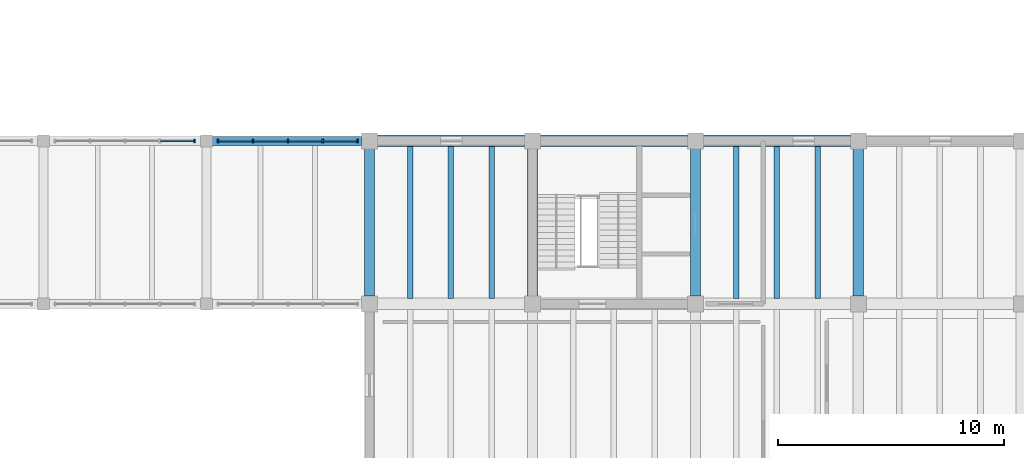
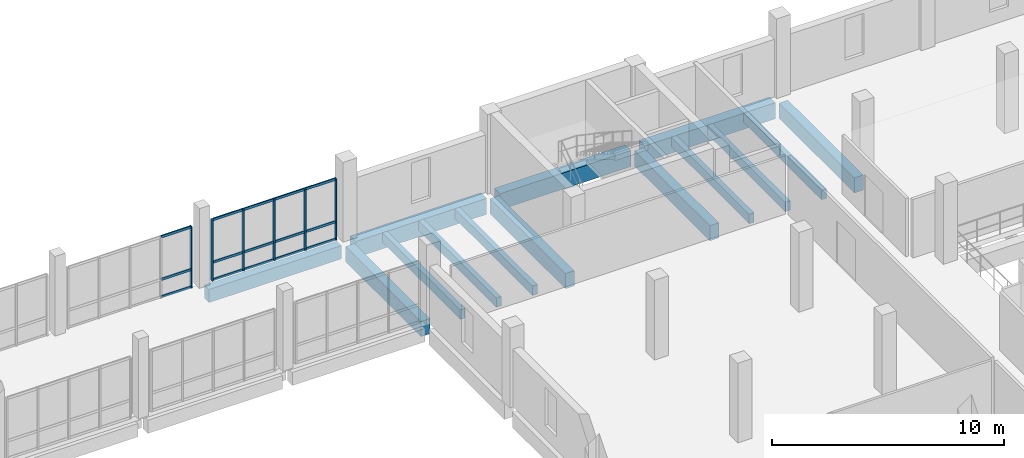
# One storey, part 41 of 72: 21 members, 14 beams, 2 elements without a shape of their own.
"""IFC4 building model written with IfcOpenShell, lengths in metres."""

import ifcopenshell
import ifcopenshell.guid

model = None  # the IFC model being written
_history = None  # IfcOwnerHistory: only IFC2X3 demands one
_inside = {}  # id of a spatial element -> (the spatial element, [elements in it])
_under = {}  # id of a project, library or spatial element -> (it, [spatial elements below it])
_declared = {}  # id of a project -> (the project, [libraries it declares])
_typed = {}  # id of a type object -> (the type object, [elements of that type])
_made_of = {}  # id of a material, layer set ... -> (it, [elements and type objects made of it])


def new_model(schema):
    """Start an empty IFC model of exactly this schema.

    Asked for "IFC4X3", IfcOpenShell would pick the latest addendum, in which some entities
    have other attributes; the version numbers below select the first issue.
    IFC2X3 requires an IfcOwnerHistory on every rooted entity: one is made here for all.
    """
    global model, _history
    if schema == "IFC4X3":
        model = ifcopenshell.file(schema_version=(4, 3, 0, 0))
    else:
        model = ifcopenshell.file(schema=schema)
    _inside.clear()
    _under.clear()
    _declared.clear()
    _typed.clear()
    _made_of.clear()
    _history = None
    if model.schema == "IFC2X3":
        org = make("IfcOrganization", Name="unknown")
        user = make(
            "IfcPersonAndOrganization",
            ThePerson=make("IfcPerson", FamilyName="unknown"),
            TheOrganization=org,
        )
        app = make(
            "IfcApplication",
            ApplicationDeveloper=org,
            Version="unknown",
            ApplicationFullName="unknown",
            ApplicationIdentifier="unknown",
        )
        _history = make(
            "IfcOwnerHistory",
            OwningUser=user,
            OwningApplication=app,
            ChangeAction="ADDED",
            CreationDate=0,
        )
    return model


def make(cls, **values):
    """One entity of the class cls with the attributes given. An attribute that is None is left unset."""
    return model.create_entity(
        cls, **{name: value for name, value in values.items() if value is not None}
    )


def rooted(cls, **values):
    """An entity with a GlobalId (a new one), such as an element, a storey or a relation."""
    return make(cls, GlobalId=ifcopenshell.guid.new(), OwnerHistory=_history, **values)


def si_unit(unit_type, name, prefix=None):
    """IfcSIUnit, for example si_unit("LENGTHUNIT", "METRE", prefix="MILLI")."""
    return make("IfcSIUnit", UnitType=unit_type, Prefix=prefix, Name=name)


def assignment(units):
    """IfcUnitAssignment: the units of a project."""
    return None if units is None else make("IfcUnitAssignment", Units=units)


def point(xyz):
    """IfcCartesianPoint."""
    return None if xyz is None else make("IfcCartesianPoint", Coordinates=xyz)


def direction(xyz):
    """IfcDirection."""
    return None if xyz is None else make("IfcDirection", DirectionRatios=xyz)


def frame(location, z_axis=None, x_axis=None):
    """IfcAxis2Placement3D, a coordinate frame: its origin and axes. An axis left out is left unset."""
    return make(
        "IfcAxis2Placement3D",
        Location=point(location),
        Axis=direction(z_axis),
        RefDirection=direction(x_axis),
    )


def frame_2d(location, x_axis=None):
    """IfcAxis2Placement2D, a coordinate frame in the plane: its origin and x axis."""
    return make(
        "IfcAxis2Placement2D", Location=point(location), RefDirection=direction(x_axis)
    )


def origin():
    """The frame at (0, 0, 0) with its axes left unset."""
    return frame((0.0, 0.0, 0.0))


def origin_2d():
    """The frame at (0, 0) in the plane with its x axis left unset."""
    return frame_2d((0.0, 0.0))


def place(relative_to, where):
    """IfcLocalPlacement: puts the frame where relative to a parent placement (None: the world)."""
    return make(
        "IfcLocalPlacement", PlacementRelTo=relative_to, RelativePlacement=where
    )


def context(
    kind, dimensions, precision=None, world=None, true_north=None, identifier=None
):
    """IfcGeometricRepresentationContext, for example the 3D "Model" context."""
    return make(
        "IfcGeometricRepresentationContext",
        ContextIdentifier=identifier,
        ContextType=kind,
        CoordinateSpaceDimension=dimensions,
        Precision=precision,
        WorldCoordinateSystem=world,
        TrueNorth=true_north,
    )


def subcontext(parent, identifier, kind, view, scale=None):
    """IfcGeometricRepresentationSubContext, for example "Body" below "Model"."""
    return make(
        "IfcGeometricRepresentationSubContext",
        ContextIdentifier=identifier,
        ContextType=kind,
        ParentContext=parent,
        TargetScale=scale,
        TargetView=view,
    )


def project(units=None, contexts=None):
    """IfcProject with its units and contexts."""
    return rooted(
        "IfcProject",
        Name="project",
        RepresentationContexts=contexts,
        UnitsInContext=assignment(units),
    )


def spatial(cls, under=None, at=None, **own):
    """A site, building, storey or space (cls), placed at a placement, below another one or the project."""
    s = rooted(cls, ObjectPlacement=at, **own)
    if under is not None:
        _under.setdefault(under.id(), (under, []))[1].append(s)
    return s


def profile(cls, at=None, kind="AREA", **sizes):
    """A parametric profile (cls). Its sizes go by their IFC names, for example OverallWidth=200.0."""
    return make(cls, ProfileType=kind, Position=at, **sizes)


def rectangle(**sizes):
    """IfcRectangleProfileDef."""
    return profile("IfcRectangleProfileDef", **sizes)


def extrude(swept, where, along, depth):
    """IfcExtrudedAreaSolid: the profile swept, set in the frame where, extruded along a direction by depth."""
    return make(
        "IfcExtrudedAreaSolid",
        SweptArea=swept,
        Position=where,
        ExtrudedDirection=direction(along),
        Depth=depth,
    )


def shape(context_of_items, identifier, shape_type, items):
    """IfcShapeRepresentation: the items that make up one representation, for example the "Body"."""
    return make(
        "IfcShapeRepresentation",
        ContextOfItems=context_of_items,
        RepresentationIdentifier=identifier,
        RepresentationType=shape_type,
        Items=items,
    )


def material(Name=None, Category=None):
    """IfcMaterial."""
    return make("IfcMaterial", Name=Name, Category=Category)


def material_profile(
    of_material, cross_section, Name=None, Category=None, Priority=None
):
    """IfcMaterialProfile: a cross section and its material."""
    return make(
        "IfcMaterialProfile",
        Name=Name,
        Material=of_material,
        Profile=cross_section,
        Priority=Priority,
        Category=Category,
    )


def profile_set(profiles, Name=None, composite=None):
    """IfcMaterialProfileSet."""
    return make(
        "IfcMaterialProfileSet",
        Name=Name,
        MaterialProfiles=profiles,
        CompositeProfile=composite,
    )


def made_of(thing, what):
    """Note that an element or type object is made of a material, layer set ...; save() writes the relation."""
    if what is not None:
        _made_of.setdefault(what.id(), (what, []))[1].append(thing)
    return thing


def type_object(cls, material=None, **own):
    """A type object (cls), such as IfcWallType, which elements share."""
    return made_of(rooted(cls, **own), material)


def element(
    cls,
    number,
    at=None,
    inside=None,
    cuts=None,
    type_object=None,
    material=None,
    context=None,
    identifier="Body",
    shape_type=None,
    held_by="IfcProductDefinitionShape",
    body=None,
    shapes=None,
    **own,
):
    """One element of the class cls, such as IfcWall. Its Tag is "e" and its number.

    at: its placement. inside: the storey or other place that contains it. cuts: it is an
    opening in that element (IfcRelVoidsElement). A single representation is given by context,
    identifier, shape_type and body (its items); several are given by shapes. held_by: the class
    of the entity that holds the representations. save() writes the other relations.
    """
    e = rooted(cls, Tag="e%d" % number, ObjectPlacement=at, **own)
    if body is not None:
        shapes = [shape(context, identifier, shape_type, body)]
    if shapes is not None:
        e.Representation = make(held_by, Representations=shapes)
    if inside is not None:
        _inside.setdefault(inside.id(), (inside, []))[1].append(e)
    if cuts is not None:
        rooted(
            "IfcRelVoidsElement", RelatingBuildingElement=cuts, RelatedOpeningElement=e
        )
    if type_object is not None:
        _typed.setdefault(type_object.id(), (type_object, []))[1].append(e)
    return made_of(e, material)


def aggregate(whole, parts):
    """IfcRelAggregates: a whole, such as a stair, and the parts it consists of."""
    return rooted("IfcRelAggregates", RelatingObject=whole, RelatedObjects=parts)


def save(model, path):
    """Write the relations noted so far, then the file.

    IfcRelAggregates (storeys below a building ...), IfcRelContainedInSpatialStructure (elements
    in a storey), IfcRelDefinesByType, IfcRelAssociatesMaterial and IfcRelDeclares: one each for
    every whole, place, type object, material and project.
    """
    for whole, parts in _under.values():
        aggregate(whole, parts)
    for where, things in _inside.values():
        rooted(
            "IfcRelContainedInSpatialStructure",
            RelatedElements=things,
            RelatingStructure=where,
        )
    for kind, things in _typed.values():
        rooted("IfcRelDefinesByType", RelatedObjects=things, RelatingType=kind)
    for what, things in _made_of.values():
        rooted("IfcRelAssociatesMaterial", RelatedObjects=things, RelatingMaterial=what)
    for by, libraries in _declared.values():
        rooted("IfcRelDeclares", RelatingContext=by, RelatedDefinitions=libraries)
    model.write(path)


model = new_model("IFC4")

# Units and contexts
model_context = context("Model", 3, precision=1e-05, world=origin(), true_north=direction((0.0, 1.0)))
body_context = subcontext(model_context, "Body", "Model", "MODEL_VIEW")
ifc_project = project(units=[si_unit("LENGTHUNIT", "METRE"), si_unit("AREAUNIT", "SQUARE_METRE"), si_unit("VOLUMEUNIT", "CUBIC_METRE"), si_unit("PLANEANGLEUNIT", "RADIAN"), si_unit("MASSUNIT", "GRAM", prefix="KILO")], contexts=[model_context])

# Site, building, storey
site_placement = place(None, origin())
site = spatial("IfcSite", under=ifc_project, at=site_placement, CompositionType="ELEMENT")
building_placement = place(site_placement, origin())
building = spatial("IfcBuilding", under=site, at=building_placement, Name="Qiaolan Assembly House", CompositionType="ELEMENT")
storey_placement = place(building_placement, frame((0.0, 0.0, 10.199951171875)))
storey = spatial("IfcBuildingStorey", under=building, at=storey_placement, Name="L02", CompositionType="ELEMENT", Elevation=10.199951171875)

# Beams
ifc_material_1 = material(Name="Concrete C40/50", Category="concrete")
ifc_material_profile_1 = material_profile(ifc_material_1, rectangle(XDim=0.39990234375, YDim=0.699951171875, at=origin_2d()), Name="RCB 400x700")
ifc_profile_set_1 = profile_set([ifc_material_profile_1], Name="Concrete C40/50")
beam_type_1 = type_object("IfcBeamType", Name="BM-RC-400x700", PredefinedType="BEAM", material=ifc_profile_set_1)
beam_placement = place(storey_placement, frame((129.85009765625, 86.39990234375, -0.619873046875), z_axis=(1.0, 0.0, 0.0), x_axis=(0.0, 1.0, 0.0)))
element("IfcBeam", 1, at=beam_placement, inside=storey, type_object=beam_type_1, Name="GB-05 beam BMX-CLN-L02-03-01", PredefinedType="BEAM", context=body_context, shape_type="SweptSolid", body=[
    extrude(rectangle(XDim=0.39990234375, YDim=0.699951171875, at=origin_2d()), origin(), (0.0, 0.0, 1.0), 6.60986328125),
])
ifc_material_profile_2 = material_profile(ifc_material_1, rectangle(XDim=0.449951171875, YDim=0.800048828125, at=origin_2d()), Name="RCB 450x800")
ifc_profile_set_2 = profile_set([ifc_material_profile_2], Name="Concrete C40/50")
beam_type_2 = type_object("IfcBeamType", Name="BM-RC-450x800", PredefinedType="BEAM", material=ifc_profile_set_2)
for number, where, z_axis, x_axis, name in (
    (2, (136.800048828125, 79.5400390625, -0.669921875), (0.0, 1.0, 0.0), (-1.0, 0.0, 0.0), "GB-03 beam BMY-LB-L02-00-07"),
    (3, (144.0, 79.5400390625, -0.669921875), (0.0, 1.0, 0.0), (-1.0, 0.0, 0.0), "GB-03 beam BMY-LB-L02-01-07"),
    (4, (151.199951171875, 79.5400390625, -0.669921875), (0.0, 1.0, 0.0), (-1.0, 0.0, 0.0), "GB-03 beam BMY-LB-L02-02-07"),
    (5, (158.39990234375, 79.5400390625, -0.669921875), (0.0, 1.0, 0.0), (-1.0, 0.0, 0.0), "GB-03 beam BMY-LB-L02-03-07"),
):
    element("IfcBeam", number, at=place(storey_placement, frame(where, z_axis=z_axis, x_axis=x_axis)), inside=storey, type_object=beam_type_2, Name=name, PredefinedType="BEAM", context=body_context, shape_type="SweptSolid", body=[
        extrude(rectangle(XDim=0.449951171875, YDim=0.800048828125, at=origin_2d()), origin(), (0.0, 0.0, 1.0), 6.52001953125),
    ])
ifc_material_2 = material(Name="Concrete C45/55", Category="concrete")
ifc_material_profile_3 = material_profile(ifc_material_2, rectangle(XDim=0.5, YDim=0.85009765625, at=origin_2d()), Name="RCB 500x850")
ifc_profile_set_3 = profile_set([ifc_material_profile_3], Name="Concrete C45/55")
beam_type_3 = type_object("IfcBeamType", Name="BM-RC-500x850", PredefinedType="BEAM", material=ifc_profile_set_3)
for number, where, z_axis, x_axis, name in (
    (6, (137.139892578125, 86.39990234375, -0.695068359375), (1.0, 0.0, 0.0), (0.0, 1.0, 0.0), "GB-02 beam BMX-LB-L02-00-08"),
    (7, (144.340087890625, 86.39990234375, -0.695068359375), (1.0, 0.0, 0.0), (0.0, 1.0, 0.0), "GB-02 beam BMX-LB-L02-01-08"),
    (8, (151.5400390625, 86.39990234375, -0.695068359375), (1.0, 0.0, 0.0), (0.0, 1.0, 0.0), "GB-02 beam BMX-LB-L02-02-08"),
):
    element("IfcBeam", number, at=place(storey_placement, frame(where, z_axis=z_axis, x_axis=x_axis)), inside=storey, type_object=beam_type_3, Name=name, PredefinedType="BEAM", context=body_context, shape_type="SweptSolid", body=[
        extrude(rectangle(XDim=0.5, YDim=0.85009765625, at=origin_2d()), origin(), (0.0, 0.0, 1.0), 6.52001953125),
    ])

# Curtain wall, member
ifc_material_3 = material(Name="Anodised bronze aluminium", Category="aluminium")
curtain_wall_type = type_object("IfcCurtainWallType", Name="CW-CLOISTER-420", PredefinedType="NOTDEFINED", material=ifc_material_3)
curtain_wall_1_placement = place(storey_placement, origin())
curtain_wall_1 = element("IfcCurtainWall", 9, at=curtain_wall_1_placement, inside=storey, type_object=curtain_wall_type, Name="CW-05 North Cloister outer arcade L02-3", PredefinedType="NOTDEFINED")
ifc_material_profile_4 = material_profile(ifc_material_3, rectangle(XDim=0.070068359375, YDim=0.155029296875, at=origin_2d()), Name="MUL 70x155")
ifc_profile_set_4 = profile_set([ifc_material_profile_4], Name="Anodised bronze aluminium")
member_type_1 = type_object("IfcMemberType", Name="CW-CLOISTER-420-MUL", PredefinedType="MULLION", material=ifc_profile_set_4)
member_1_placement = place(storey_placement, frame((129.080078125, 86.39990234375, 0.0), z_axis=(0.0, 0.0, 1.0), x_axis=(-1.0, 0.0, 0.0)))
member_1 = element("IfcMember", 10, at=member_1_placement, type_object=member_type_1, Name="ML-06 mullion CW-CLN-OUT-L02-2-1", PredefinedType="MULLION", context=body_context, shape_type="SweptSolid", body=[
    extrude(rectangle(XDim=0.070068359375, YDim=0.155029296875, at=origin_2d()), origin(), (0.0, 0.0, 1.0), 3.219970703125),
])

# Curtain wall, members
curtain_wall_2_placement = place(storey_placement, origin())
curtain_wall_2 = element("IfcCurtainWall", 11, at=curtain_wall_2_placement, inside=storey, type_object=curtain_wall_type, Name="CW-05 North Cloister outer arcade L02-4", PredefinedType="NOTDEFINED")
member_2_placement = place(storey_placement, frame((136.280029296875, 86.39990234375, 0.0), z_axis=(0.0, 0.0, 1.0), x_axis=(-1.0, 0.0, 0.0)))
member_2 = element("IfcMember", 12, at=member_2_placement, type_object=member_type_1, Name="ML-06 mullion CW-CLN-OUT-L02-3-1", PredefinedType="MULLION", context=body_context, shape_type="SweptSolid", body=[
    extrude(rectangle(XDim=0.070068359375, YDim=0.155029296875, at=origin_2d()), origin(), (0.0, 0.0, 1.0), 3.219970703125),
])
member_3_placement = place(storey_placement, frame((134.739990234375, 86.39990234375, 0.0), z_axis=(0.0, 0.0, 1.0), x_axis=(-1.0, 0.0, 0.0)))
member_3 = element("IfcMember", 13, at=member_3_placement, type_object=member_type_1, Name="ML-06 mullion CW-CLN-OUT-L02-3-2", PredefinedType="MULLION", context=body_context, shape_type="SweptSolid", body=[
    extrude(rectangle(XDim=0.070068359375, YDim=0.155029296875, at=origin_2d()), origin(), (0.0, 0.0, 1.0), 3.219970703125),
])
member_4_placement = place(storey_placement, frame((133.199951171875, 86.39990234375, 0.0), z_axis=(0.0, 0.0, 1.0), x_axis=(-1.0, 0.0, 0.0)))
member_4 = element("IfcMember", 14, at=member_4_placement, type_object=member_type_1, Name="ML-06 mullion CW-CLN-OUT-L02-3-3", PredefinedType="MULLION", context=body_context, shape_type="SweptSolid", body=[
    extrude(rectangle(XDim=0.070068359375, YDim=0.155029296875, at=origin_2d()), origin(), (0.0, 0.0, 1.0), 3.219970703125),
])
member_5_placement = place(storey_placement, frame((131.659912109375, 86.39990234375, 0.0), z_axis=(0.0, 0.0, 1.0), x_axis=(-1.0, 0.0, 0.0)))
member_5 = element("IfcMember", 15, at=member_5_placement, type_object=member_type_1, Name="ML-06 mullion CW-CLN-OUT-L02-3-4", PredefinedType="MULLION", context=body_context, shape_type="SweptSolid", body=[
    extrude(rectangle(XDim=0.070068359375, YDim=0.155029296875, at=origin_2d()), origin(), (0.0, 0.0, 1.0), 3.219970703125),
])
member_6_placement = place(storey_placement, frame((130.1201171875, 86.39990234375, 0.0), z_axis=(0.0, 0.0, 1.0), x_axis=(-1.0, 0.0, 0.0)))
member_6 = element("IfcMember", 16, at=member_6_placement, type_object=member_type_1, Name="ML-06 mullion CW-CLN-OUT-L02-3-5", PredefinedType="MULLION", context=body_context, shape_type="SweptSolid", body=[
    extrude(rectangle(XDim=0.070068359375, YDim=0.155029296875, at=origin_2d()), origin(), (0.0, 0.0, 1.0), 3.219970703125),
])

# Member
ifc_material_profile_5 = material_profile(ifc_material_3, rectangle(XDim=0.06201171875, YDim=0.125, at=origin_2d()), Name="TRN 62x125")
ifc_profile_set_5 = profile_set([ifc_material_profile_5], Name="Anodised bronze aluminium")
member_type_2 = type_object("IfcMemberType", Name="CW-CLOISTER-420-TRN", PredefinedType="USERDEFINED", material=ifc_profile_set_5)
member_7_placement = place(storey_placement, frame((129.044921875, 86.39990234375, 0.030029296875), z_axis=(-1.0, 0.0, 0.0), x_axis=(0.0, -1.0, 0.0)))
member_7 = element("IfcMember", 17, at=member_7_placement, type_object=member_type_2, Name="TR-06 transom CW-CLN-OUT-L02-2-1-1", ObjectType="TRANSOM", PredefinedType="USERDEFINED", context=body_context, shape_type="SweptSolid", body=[
    extrude(rectangle(XDim=0.06201171875, YDim=0.125, at=origin_2d()), origin(), (0.0, 0.0, 1.0), 1.469970703125),
])

member_8_placement = place(storey_placement, frame((129.044921875, 86.39990234375, 0.949951171875), z_axis=(-1.0, 0.0, 0.0), x_axis=(0.0, -1.0, 0.0)))
member_8 = element("IfcMember", 18, at=member_8_placement, type_object=member_type_2, Name="TR-06 transom CW-CLN-OUT-L02-2-1-2", ObjectType="TRANSOM", PredefinedType="USERDEFINED", context=body_context, shape_type="SweptSolid", body=[
    extrude(rectangle(XDim=0.06201171875, YDim=0.125, at=origin_2d()), origin(), (0.0, 0.0, 1.0), 1.469970703125),
])

member_9_placement = place(storey_placement, frame((129.044921875, 86.39990234375, 3.18994140625), z_axis=(-1.0, 0.0, 0.0), x_axis=(0.0, -1.0, 0.0)))
member_9 = element("IfcMember", 19, at=member_9_placement, type_object=member_type_2, Name="TR-06 transom CW-CLN-OUT-L02-2-1-3", ObjectType="TRANSOM", PredefinedType="USERDEFINED", context=body_context, shape_type="SweptSolid", body=[
    extrude(rectangle(XDim=0.06201171875, YDim=0.125, at=origin_2d()), origin(), (0.0, 0.0, 1.0), 1.469970703125),
])

aggregate(curtain_wall_1, [member_1, member_7, member_8, member_9])

member_10_placement = place(storey_placement, frame((136.2451171875, 86.39990234375, 0.030029296875), z_axis=(-1.0, 0.0, 0.0), x_axis=(0.0, -1.0, 0.0)))
member_10 = element("IfcMember", 20, at=member_10_placement, type_object=member_type_2, Name="TR-06 transom CW-CLN-OUT-L02-3-1-1", ObjectType="TRANSOM", PredefinedType="USERDEFINED", context=body_context, shape_type="SweptSolid", body=[
    extrude(rectangle(XDim=0.06201171875, YDim=0.125, at=origin_2d()), origin(), (0.0, 0.0, 1.0), 1.47021484375),
])

member_11_placement = place(storey_placement, frame((136.2451171875, 86.39990234375, 0.949951171875), z_axis=(-1.0, 0.0, 0.0), x_axis=(0.0, -1.0, 0.0)))
member_11 = element("IfcMember", 21, at=member_11_placement, type_object=member_type_2, Name="TR-06 transom CW-CLN-OUT-L02-3-1-2", ObjectType="TRANSOM", PredefinedType="USERDEFINED", context=body_context, shape_type="SweptSolid", body=[
    extrude(rectangle(XDim=0.06201171875, YDim=0.125, at=origin_2d()), origin(), (0.0, 0.0, 1.0), 1.47021484375),
])

member_12_placement = place(storey_placement, frame((136.2451171875, 86.39990234375, 3.18994140625), z_axis=(-1.0, 0.0, 0.0), x_axis=(0.0, -1.0, 0.0)))
member_12 = element("IfcMember", 22, at=member_12_placement, type_object=member_type_2, Name="TR-06 transom CW-CLN-OUT-L02-3-1-3", ObjectType="TRANSOM", PredefinedType="USERDEFINED", context=body_context, shape_type="SweptSolid", body=[
    extrude(rectangle(XDim=0.06201171875, YDim=0.125, at=origin_2d()), origin(), (0.0, 0.0, 1.0), 1.47021484375),
])

member_13_placement = place(storey_placement, frame((134.705078125, 86.39990234375, 0.030029296875), z_axis=(-1.0, 0.0, 0.0), x_axis=(0.0, -1.0, 0.0)))
member_13 = element("IfcMember", 23, at=member_13_placement, type_object=member_type_2, Name="TR-06 transom CW-CLN-OUT-L02-3-2-1", ObjectType="TRANSOM", PredefinedType="USERDEFINED", context=body_context, shape_type="SweptSolid", body=[
    extrude(rectangle(XDim=0.06201171875, YDim=0.125, at=origin_2d()), origin(), (0.0, 0.0, 1.0), 1.469970703125),
])

member_14_placement = place(storey_placement, frame((134.705078125, 86.39990234375, 0.949951171875), z_axis=(-1.0, 0.0, 0.0), x_axis=(0.0, -1.0, 0.0)))
member_14 = element("IfcMember", 24, at=member_14_placement, type_object=member_type_2, Name="TR-06 transom CW-CLN-OUT-L02-3-2-2", ObjectType="TRANSOM", PredefinedType="USERDEFINED", context=body_context, shape_type="SweptSolid", body=[
    extrude(rectangle(XDim=0.06201171875, YDim=0.125, at=origin_2d()), origin(), (0.0, 0.0, 1.0), 1.469970703125),
])

member_15_placement = place(storey_placement, frame((134.705078125, 86.39990234375, 3.18994140625), z_axis=(-1.0, 0.0, 0.0), x_axis=(0.0, -1.0, 0.0)))
member_15 = element("IfcMember", 25, at=member_15_placement, type_object=member_type_2, Name="TR-06 transom CW-CLN-OUT-L02-3-2-3", ObjectType="TRANSOM", PredefinedType="USERDEFINED", context=body_context, shape_type="SweptSolid", body=[
    extrude(rectangle(XDim=0.06201171875, YDim=0.125, at=origin_2d()), origin(), (0.0, 0.0, 1.0), 1.469970703125),
])

member_16_placement = place(storey_placement, frame((133.1650390625, 86.39990234375, 0.030029296875), z_axis=(-1.0, 0.0, 0.0), x_axis=(0.0, -1.0, 0.0)))
member_16 = element("IfcMember", 26, at=member_16_placement, type_object=member_type_2, Name="TR-06 transom CW-CLN-OUT-L02-3-3-1", ObjectType="TRANSOM", PredefinedType="USERDEFINED", context=body_context, shape_type="SweptSolid", body=[
    extrude(rectangle(XDim=0.06201171875, YDim=0.125, at=origin_2d()), origin(), (0.0, 0.0, 1.0), 1.469970703125),
])

member_17_placement = place(storey_placement, frame((133.1650390625, 86.39990234375, 0.949951171875), z_axis=(-1.0, 0.0, 0.0), x_axis=(0.0, -1.0, 0.0)))
member_17 = element("IfcMember", 27, at=member_17_placement, type_object=member_type_2, Name="TR-06 transom CW-CLN-OUT-L02-3-3-2", ObjectType="TRANSOM", PredefinedType="USERDEFINED", context=body_context, shape_type="SweptSolid", body=[
    extrude(rectangle(XDim=0.06201171875, YDim=0.125, at=origin_2d()), origin(), (0.0, 0.0, 1.0), 1.469970703125),
])

member_18_placement = place(storey_placement, frame((133.1650390625, 86.39990234375, 3.18994140625), z_axis=(-1.0, 0.0, 0.0), x_axis=(0.0, -1.0, 0.0)))
member_18 = element("IfcMember", 28, at=member_18_placement, type_object=member_type_2, Name="TR-06 transom CW-CLN-OUT-L02-3-3-3", ObjectType="TRANSOM", PredefinedType="USERDEFINED", context=body_context, shape_type="SweptSolid", body=[
    extrude(rectangle(XDim=0.06201171875, YDim=0.125, at=origin_2d()), origin(), (0.0, 0.0, 1.0), 1.469970703125),
])

member_19_placement = place(storey_placement, frame((131.625, 86.39990234375, 0.030029296875), z_axis=(-1.0, 0.0, 0.0), x_axis=(0.0, -1.0, 0.0)))
member_19 = element("IfcMember", 29, at=member_19_placement, type_object=member_type_2, Name="TR-06 transom CW-CLN-OUT-L02-3-4-1", ObjectType="TRANSOM", PredefinedType="USERDEFINED", context=body_context, shape_type="SweptSolid", body=[
    extrude(rectangle(XDim=0.06201171875, YDim=0.125, at=origin_2d()), origin(), (0.0, 0.0, 1.0), 1.469970703125),
])

member_20_placement = place(storey_placement, frame((131.625, 86.39990234375, 0.949951171875), z_axis=(-1.0, 0.0, 0.0), x_axis=(0.0, -1.0, 0.0)))
member_20 = element("IfcMember", 30, at=member_20_placement, type_object=member_type_2, Name="TR-06 transom CW-CLN-OUT-L02-3-4-2", ObjectType="TRANSOM", PredefinedType="USERDEFINED", context=body_context, shape_type="SweptSolid", body=[
    extrude(rectangle(XDim=0.06201171875, YDim=0.125, at=origin_2d()), origin(), (0.0, 0.0, 1.0), 1.469970703125),
])

member_21_placement = place(storey_placement, frame((131.625, 86.39990234375, 3.18994140625), z_axis=(-1.0, 0.0, 0.0), x_axis=(0.0, -1.0, 0.0)))
member_21 = element("IfcMember", 31, at=member_21_placement, type_object=member_type_2, Name="TR-06 transom CW-CLN-OUT-L02-3-4-3", ObjectType="TRANSOM", PredefinedType="USERDEFINED", context=body_context, shape_type="SweptSolid", body=[
    extrude(rectangle(XDim=0.06201171875, YDim=0.125, at=origin_2d()), origin(), (0.0, 0.0, 1.0), 1.469970703125),
])

aggregate(curtain_wall_2, [member_2, member_3, member_4, member_5, member_6, member_10, member_11, member_12, member_13, member_14, member_15, member_16, member_17, member_18, member_19, member_20, member_21])

# Beams
ifc_material_profile_6 = material_profile(ifc_material_1, rectangle(XDim=0.25, YDim=0.5, at=origin_2d()), Name="RCB 250x500")
ifc_profile_set_6 = profile_set([ifc_material_profile_6], Name="Concrete C40/50")
beam_type_4 = type_object("IfcBeamType", Name="JST-RC-250x500", PredefinedType="JOIST", material=ifc_profile_set_6)
for number, where, z_axis, x_axis, name in (
    (32, (138.60009765625, 79.444091796875, -0.52001953125), (0.0, 1.0, 0.0), (-1.0, 0.0, 0.0), "RJ-01 beam JST-LB-L02-00-07-1"),
    (33, (140.39990234375, 79.444091796875, -0.52001953125), (0.0, 1.0, 0.0), (-1.0, 0.0, 0.0), "RJ-01 beam JST-LB-L02-00-07-2"),
    (34, (142.199951171875, 79.444091796875, -0.52001953125), (0.0, 1.0, 0.0), (-1.0, 0.0, 0.0), "RJ-01 beam JST-LB-L02-00-07-3"),
    (35, (153.0, 79.444091796875, -0.52001953125), (0.0, 1.0, 0.0), (-1.0, 0.0, 0.0), "RJ-01 beam JST-LB-L02-02-07-1"),
    (36, (154.800048828125, 79.444091796875, -0.52001953125), (0.0, 1.0, 0.0), (-1.0, 0.0, 0.0), "RJ-01 beam JST-LB-L02-02-07-2"),
    (37, (156.60009765625, 79.444091796875, -0.52001953125), (0.0, 1.0, 0.0), (-1.0, 0.0, 0.0), "RJ-01 beam JST-LB-L02-02-07-3"),
):
    element("IfcBeam", number, at=place(storey_placement, frame(where, z_axis=z_axis, x_axis=x_axis)), inside=storey, type_object=beam_type_4, Name=name, PredefinedType="JOIST", context=body_context, shape_type="SweptSolid", body=[
        extrude(rectangle(XDim=0.25, YDim=0.5, at=origin_2d()), origin(), (0.0, 0.0, 1.0), 6.7119140625),
    ])

save(model, "model.ifc")
